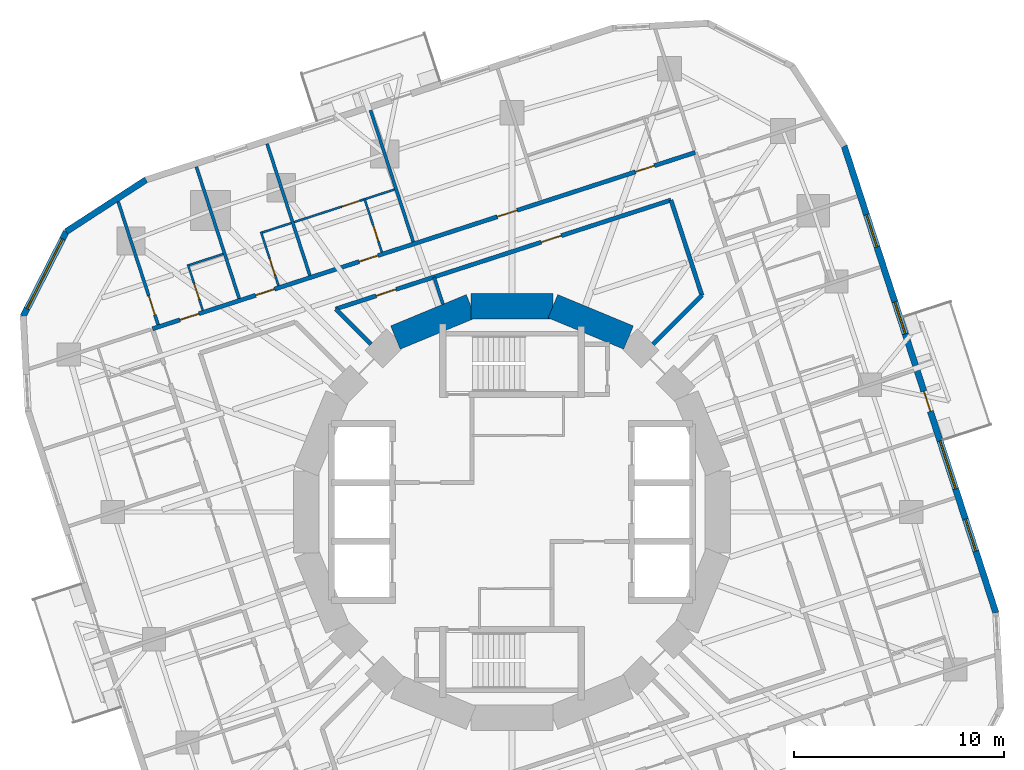
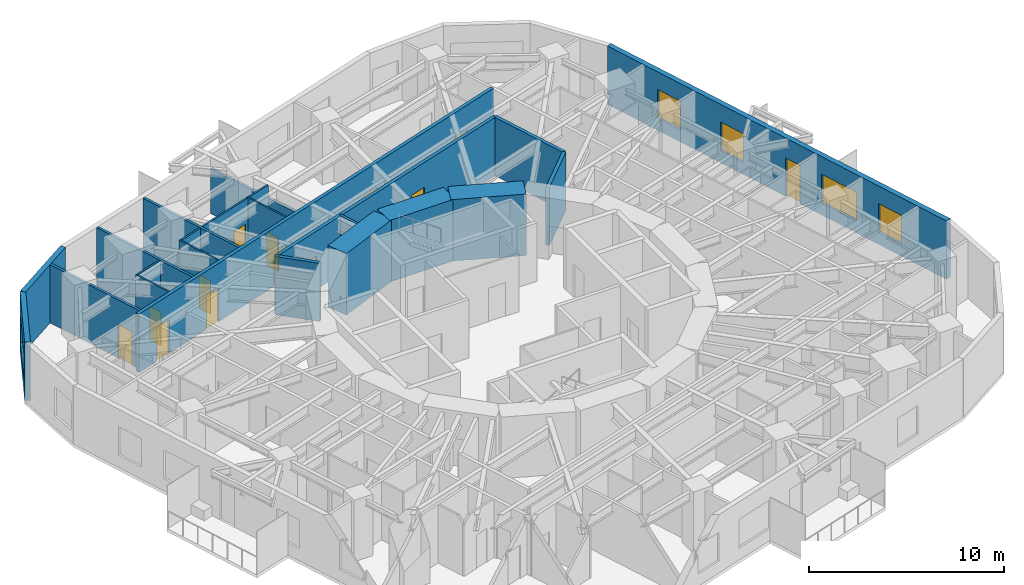
# One storey, part 9 of 12: 23 walls, 13 doors, 5 windows, 18 openings.
"""IFC4 building model written with IfcOpenShell, lengths in metres."""

from ifc_helpers import new_model, si_unit, direction, frame, frame_2d, origin, place, context, subcontext, project, spatial, rectangle, extrude, material, layer, layer_set, type_object, element, fill, save


model = new_model("IFC4")

# Units and contexts
model_context = context("Model", 3, precision=1e-05, world=origin(), true_north=direction((0.0, 1.0)))
body_context = subcontext(model_context, "Body", "Model", "MODEL_VIEW")
ifc_project = project(units=[si_unit("LENGTHUNIT", "METRE"), si_unit("AREAUNIT", "SQUARE_METRE"), si_unit("VOLUMEUNIT", "CUBIC_METRE"), si_unit("PLANEANGLEUNIT", "RADIAN"), si_unit("MASSUNIT", "GRAM", prefix="KILO")], contexts=[model_context])

# Site, building, storey
site_placement = place(None, origin())
site = spatial("IfcSite", under=ifc_project, at=site_placement, CompositionType="ELEMENT")
building_placement = place(site_placement, origin())
building = spatial("IfcBuilding", under=site, at=building_placement, Name="Nakasero Lantern House", CompositionType="ELEMENT")
storey_placement = place(building_placement, frame((0.0, 0.0, 145.64990234375)))
storey = spatial("IfcBuildingStorey", under=building, at=storey_placement, Name="L35", CompositionType="ELEMENT", Elevation=145.64990234375)

# Walls
ifc_material_1 = material(Name="Concrete C50/60", Category="concrete")
ifc_layer_1 = layer(ifc_material_1, 1.199951171875)
ifc_layer_set_1 = layer_set([ifc_layer_1], Name="Core wall 1200")
wall_type_1 = type_object("IfcWallType", Name="Core wall 1200", PredefinedType="SHEAR", material=ifc_layer_set_1)
for number, where, z_axis, x_axis, name in (
    (1, (5.5556640625, 8.314697265625, 0.0), (0.0, 0.0, 1.0), (-0.923876507187, 0.382690736062, 0.0), "Core wall L35 facet 3"),
    (2, (1.950927734375, 9.807861328125, 0.0), (0.0, 0.0, 1.0), (-1.0, 0.0, 0.0), "Core wall L35 facet 4"),
    (3, (-1.950927734375, 9.807861328125, 0.0), (0.0, 0.0, 1.0), (-0.923876507187, -0.382690736062, 0.0), "Core wall L35 facet 5"),
):
    element("IfcWall", number, at=place(storey_placement, frame(where, z_axis=z_axis, x_axis=x_axis)), inside=storey, type_object=wall_type_1, Name=name, PredefinedType="SHEAR", context=body_context, shape_type="SweptSolid", body=[
        extrude(rectangle(XDim=3.90185546875, YDim=1.199951171875, at=frame_2d((1.950927734375, 0.0))), origin(), (0.0, 0.0, 1.0), 3.85009765625),
    ])

# Wall, openings, doors
ifc_material_2 = material(Name="Blockwork", Category="masonry")
ifc_layer_2 = layer(ifc_material_2, 0.199951171875)
ifc_layer_set_2 = layer_set([ifc_layer_2], Name="Corridor wall 200")
wall_type_2 = type_object("IfcWallType", Name="Corridor wall 200", PredefinedType="PARTITIONING", material=ifc_layer_set_2)
wall_1_placement = place(storey_placement, frame((8.731689453125, 17.136962890625, 0.0), z_axis=(0.0, 0.0, 1.0), x_axis=(-0.951056097323, -0.309018283835, 0.0)))
wall_1 = element("IfcWall", 4, at=wall_1_placement, inside=storey, type_object=wall_type_2, Name="Corridor wall L35 CW1", PredefinedType="PARTITIONING", context=body_context, shape_type="SweptSolid", body=[
    extrude(rectangle(XDim=27.199951171875, YDim=0.199951171875, at=frame_2d((13.60009765625, 0.0))), origin(), (0.0, 0.0, 1.0), 3.650146484375),
])
opening_1_placement = place(wall_1_placement, frame((2.050048828125, 0.0, 0.0)))
opening_1 = element("IfcOpeningElement", 5, at=opening_1_placement, cuts=wall_1, Name="Opening D01", PredefinedType="OPENING", context=body_context, shape_type="SweptSolid", body=[
    extrude(rectangle(XDim=0.949951171875, YDim=2.10009765625, at=frame_2d((0.47509765625, 1.050048828125))), frame((0.0, 0.119873046875, 0.0), z_axis=(0.0, -1.0, 0.0), x_axis=(1.0, 0.0, 0.0)), (0.0, 0.0, 1.0), 0.239990234375),
])
opening_2_placement = place(wall_1_placement, frame((15.89697265625, 0.0, 0.0)))
opening_2 = element("IfcOpeningElement", 6, at=opening_2_placement, cuts=wall_1, Name="Opening D01", PredefinedType="OPENING", context=body_context, shape_type="SweptSolid", body=[
    extrude(rectangle(XDim=0.949951171875, YDim=2.10009765625, at=frame_2d((0.47509765625, 1.050048828125))), frame((0.0, 0.119873046875, 0.0), z_axis=(0.0, -1.0, 0.0), x_axis=(1.0, 0.0, 0.0)), (0.0, 0.0, 1.0), 0.239990234375),
])
opening_3_placement = place(wall_1_placement, frame((21.078125, 0.0, 0.0)))
opening_3 = element("IfcOpeningElement", 7, at=opening_3_placement, cuts=wall_1, Name="Opening D01", PredefinedType="OPENING", context=body_context, shape_type="SweptSolid", body=[
    extrude(rectangle(XDim=0.949951171875, YDim=2.10009765625, at=frame_2d((0.47509765625, 1.050048828125))), frame((0.0, 0.119873046875, 0.0), z_axis=(0.0, -1.0, 0.0), x_axis=(1.0, 0.0, 0.0)), (0.0, 0.0, 1.0), 0.239990234375),
])
opening_4_placement = place(wall_1_placement, frame((24.872314453125, 0.0, 0.0)))
opening_4 = element("IfcOpeningElement", 8, at=opening_4_placement, cuts=wall_1, Name="Opening D01", PredefinedType="OPENING", context=body_context, shape_type="SweptSolid", body=[
    extrude(rectangle(XDim=0.949951171875, YDim=2.10009765625, at=frame_2d((0.47509765625, 1.050048828125))), frame((0.0, 0.119873046875, 0.0), z_axis=(0.0, -1.0, 0.0), x_axis=(1.0, 0.0, 0.0)), (0.0, 0.0, 1.0), 0.239990234375),
])
opening_5_placement = place(wall_1_placement, frame((8.9189453125, 0.0, 0.0)))
opening_5 = element("IfcOpeningElement", 9, at=opening_5_placement, cuts=wall_1, Name="Opening D03", PredefinedType="OPENING", context=body_context, shape_type="SweptSolid", body=[
    extrude(rectangle(XDim=1.0, YDim=2.10009765625, at=frame_2d((0.5, 1.050048828125))), frame((0.0, 0.119873046875, 0.0), z_axis=(0.0, -1.0, 0.0), x_axis=(1.0, 0.0, 0.0)), (0.0, 0.0, 1.0), 0.239990234375),
])
ifc_material_3 = material(Name="Timber C24", Category="wood")
door_type_1 = type_object("IfcDoorType", Name="Bedroom door FD30S 950", OperationType="SINGLE_SWING_LEFT", PredefinedType="DOOR", material=ifc_material_3)
door_1_placement = place(opening_1_placement, origin())
door_1 = element("IfcDoor", 10, at=door_1_placement, inside=storey, type_object=door_type_1, Name="Door L35 D1-00", OperationType="SINGLE_SWING_LEFT", OverallHeight=2.10009765625, OverallWidth=0.949951171875, PredefinedType="DOOR", context=body_context, shape_type="SweptSolid", body=[
    extrude(rectangle(XDim=0.949951171875, YDim=2.10009765625, at=frame_2d((0.47509765625, 1.050048828125))), frame((0.0, 0.02490234375, 0.0), z_axis=(0.0, -1.0, 0.0), x_axis=(1.0, 0.0, 0.0)), (0.0, 0.0, 1.0), 0.050048828125),
])
fill(opening_1, door_1)
door_2_placement = place(opening_2_placement, origin())
door_2 = element("IfcDoor", 11, at=door_2_placement, inside=storey, type_object=door_type_1, Name="Door L35 D1-04", OperationType="SINGLE_SWING_RIGHT", OverallHeight=2.10009765625, OverallWidth=0.949951171875, PredefinedType="DOOR", context=body_context, shape_type="SweptSolid", body=[
    extrude(rectangle(XDim=0.949951171875, YDim=2.10009765625, at=frame_2d((0.47509765625, 1.050048828125))), frame((0.0, 0.02490234375, 0.0), z_axis=(0.0, -1.0, 0.0), x_axis=(1.0, 0.0, 0.0)), (0.0, 0.0, 1.0), 0.050048828125),
])
fill(opening_2, door_2)
door_3_placement = place(opening_3_placement, origin())
door_3 = element("IfcDoor", 12, at=door_3_placement, inside=storey, type_object=door_type_1, Name="Door L35 D1-05", OperationType="SINGLE_SWING_RIGHT", OverallHeight=2.10009765625, OverallWidth=0.949951171875, PredefinedType="DOOR", context=body_context, shape_type="SweptSolid", body=[
    extrude(rectangle(XDim=0.949951171875, YDim=2.10009765625, at=frame_2d((0.47509765625, 1.050048828125))), frame((0.0, 0.02490234375, 0.0), z_axis=(0.0, -1.0, 0.0), x_axis=(1.0, 0.0, 0.0)), (0.0, 0.0, 1.0), 0.050048828125),
])
fill(opening_3, door_3)
door_4_placement = place(opening_4_placement, origin())
door_4 = element("IfcDoor", 13, at=door_4_placement, inside=storey, type_object=door_type_1, Name="Door L35 D1-06", OperationType="SINGLE_SWING_RIGHT", OverallHeight=2.10009765625, OverallWidth=0.949951171875, PredefinedType="DOOR", context=body_context, shape_type="SweptSolid", body=[
    extrude(rectangle(XDim=0.949951171875, YDim=2.10009765625, at=frame_2d((0.47509765625, 1.050048828125))), frame((0.0, 0.02490234375, 0.0), z_axis=(0.0, -1.0, 0.0), x_axis=(1.0, 0.0, 0.0)), (0.0, 0.0, 1.0), 0.050048828125),
])
fill(opening_4, door_4)
ifc_material_4 = material(Name="Timber C24", Category="wood")
door_type_2 = type_object("IfcDoorType", Name="Lounge door FD30S 1000", OperationType="SINGLE_SWING_LEFT", PredefinedType="DOOR", material=ifc_material_4)
door_5_placement = place(opening_5_placement, origin())
door_5 = element("IfcDoor", 14, at=door_5_placement, inside=storey, type_object=door_type_2, Name="Door L35 DK1", OperationType="SINGLE_SWING_LEFT", OverallHeight=2.10009765625, OverallWidth=1.0, PredefinedType="DOOR", context=body_context, shape_type="SweptSolid", body=[
    extrude(rectangle(XDim=1.0, YDim=2.10009765625, at=frame_2d((0.5, 1.050048828125))), frame((0.0, 0.02490234375, 0.0), z_axis=(0.0, -1.0, 0.0), x_axis=(1.0, 0.0, 0.0)), (0.0, 0.0, 1.0), 0.050048828125),
])
fill(opening_5, door_5)

# Wall
wall_2_placement = place(storey_placement, frame((9.052490234375, 10.3251953125, 0.0), z_axis=(0.0, 0.0, 1.0), x_axis=(-0.309013275037, 0.951057724773, 0.0)))
element("IfcWall", 15, at=wall_2_placement, inside=storey, type_object=wall_type_2, Name="Corridor wall L35 IW0-1", PredefinedType="PARTITIONING", context=body_context, shape_type="SweptSolid", body=[
    extrude(rectangle(XDim=4.777587890625, YDim=0.199951171875, at=frame_2d((2.388671875, 0.0))), origin(), (0.0, 0.0, 1.0), 3.650146484375),
])

# Wall, openings, doors
wall_3_placement = place(storey_placement, frame((7.576171875, 14.868896484375, 0.0), z_axis=(0.0, 0.0, 1.0), x_axis=(-0.951057770893, -0.309013133095, 0.0)))
wall_3 = element("IfcWall", 16, at=wall_3_placement, inside=storey, type_object=wall_type_2, Name="Corridor wall L35 IW1-0", PredefinedType="PARTITIONING", context=body_context, shape_type="SweptSolid", body=[
    extrude(rectangle(XDim=16.80224609375, YDim=0.199951171875, at=frame_2d((8.401123046875, 0.0))), origin(), (0.0, 0.0, 1.0), 3.650146484375),
])
opening_6_placement = place(wall_3_placement, frame((5.49755859375, 0.0, 0.0)))
opening_6 = element("IfcOpeningElement", 17, at=opening_6_placement, cuts=wall_3, Name="Opening D07", PredefinedType="OPENING", context=body_context, shape_type="SweptSolid", body=[
    extrude(rectangle(XDim=1.0, YDim=2.10009765625, at=frame_2d((0.5, 1.050048828125))), frame((0.0, 0.119873046875, 0.0), z_axis=(0.0, -1.0, 0.0), x_axis=(1.0, 0.0, 0.0)), (0.0, 0.0, 1.0), 0.239990234375),
])
opening_7_placement = place(wall_3_placement, frame((13.773681640625, 0.0, 0.0)))
opening_7 = element("IfcOpeningElement", 18, at=opening_7_placement, cuts=wall_3, Name="Opening D07", PredefinedType="OPENING", context=body_context, shape_type="SweptSolid", body=[
    extrude(rectangle(XDim=1.0, YDim=2.10009765625, at=frame_2d((0.5, 1.050048828125))), frame((0.0, 0.119873046875, 0.0), z_axis=(0.0, -1.0, 0.0), x_axis=(1.0, 0.0, 0.0)), (0.0, 0.0, 1.0), 0.239990234375),
])
ifc_material_5 = material(Name="Timber C24", Category="wood")
door_type_3 = type_object("IfcDoorType", Name="Room door FD30S 1000", OperationType="SINGLE_SWING_LEFT", PredefinedType="DOOR", material=ifc_material_5)
door_6_placement = place(opening_6_placement, origin())
door_6 = element("IfcDoor", 19, at=door_6_placement, inside=storey, type_object=door_type_3, Name="Door L35 DI6", OperationType="SINGLE_SWING_LEFT", OverallHeight=2.10009765625, OverallWidth=1.0, PredefinedType="DOOR", context=body_context, shape_type="SweptSolid", body=[
    extrude(rectangle(XDim=1.0, YDim=2.10009765625, at=frame_2d((0.5, 1.050048828125))), frame((0.0, 0.02490234375, 0.0), z_axis=(0.0, -1.0, 0.0), x_axis=(1.0, 0.0, 0.0)), (0.0, 0.0, 1.0), 0.050048828125),
])
fill(opening_6, door_6)
door_7_placement = place(opening_7_placement, origin())
door_7 = element("IfcDoor", 20, at=door_7_placement, inside=storey, type_object=door_type_3, Name="Door L35 DI7", OperationType="SINGLE_SWING_RIGHT", OverallHeight=2.10009765625, OverallWidth=1.0, PredefinedType="DOOR", context=body_context, shape_type="SweptSolid", body=[
    extrude(rectangle(XDim=1.0, YDim=2.10009765625, at=frame_2d((0.5, 1.050048828125))), frame((0.0, 0.02490234375, 0.0), z_axis=(0.0, -1.0, 0.0), x_axis=(1.0, 0.0, 0.0)), (0.0, 0.0, 1.0), 0.050048828125),
])
fill(opening_7, door_7)

# Walls
wall_4_placement = place(storey_placement, frame((6.72314453125, 7.995849609375, 0.0), z_axis=(0.0, 0.0, 1.0), x_axis=(0.707106781187, 0.707106781187, 0.0)))
element("IfcWall", 21, at=wall_4_placement, inside=storey, type_object=wall_type_2, Name="Corridor wall L35 PS02a", PredefinedType="PARTITIONING", context=body_context, shape_type="SweptSolid", body=[
    extrude(rectangle(XDim=3.294189453125, YDim=0.199951171875, at=frame_2d((1.64697265625, 0.0))), origin(), (0.0, 0.0, 1.0), 3.650146484375),
])
wall_5_placement = place(storey_placement, frame((-6.72314453125, 7.995849609375, 0.0), z_axis=(0.0, 0.0, 1.0), x_axis=(-0.707055424337, 0.707158134306, 0.0)))
element("IfcWall", 22, at=wall_5_placement, inside=storey, type_object=wall_type_2, Name="Corridor wall L35 PS06b", PredefinedType="PARTITIONING", context=body_context, shape_type="SweptSolid", body=[
    extrude(rectangle(XDim=2.376953125, YDim=0.199951171875, at=frame_2d((1.1884765625, 0.0))), origin(), (0.0, 0.0, 1.0), 3.650146484375),
])

# Wall, opening, door
ifc_material_6 = material(Name="Blockwork", Category="masonry")
ifc_layer_3 = layer(ifc_material_6, 0.10009765625)
ifc_layer_set_3 = layer_set([ifc_layer_3], Name="En-suite wall 100")
wall_type_3 = type_object("IfcWallType", Name="En-suite wall 100", PredefinedType="PARTITIONING", material=ifc_layer_set_3)
wall_6_placement = place(storey_placement, frame((-6.2041015625, 12.38916015625, 0.0), z_axis=(0.0, 0.0, 1.0), x_axis=(-0.309057448393, 0.951043371037, 0.0)))
wall_6 = element("IfcWall", 23, at=wall_6_placement, inside=storey, type_object=wall_type_3, Name="En-suite wall L35 ES1-04", PredefinedType="PARTITIONING", context=body_context, shape_type="SweptSolid", body=[
    extrude(rectangle(XDim=2.699951171875, YDim=0.10009765625, at=frame_2d((1.35009765625, 0.0))), origin(), (0.0, 0.0, 1.0), 3.650146484375),
])
opening_8_placement = place(wall_6_placement, frame((0.550048828125, 0.0, 0.0)))
opening_8 = element("IfcOpeningElement", 24, at=opening_8_placement, cuts=wall_6, Name="Opening D02", PredefinedType="OPENING", context=body_context, shape_type="SweptSolid", body=[
    extrude(rectangle(XDim=0.800048828125, YDim=2.10009765625, at=frame_2d((0.39990234375, 1.050048828125))), frame((0.0, 0.070068359375, 0.0), z_axis=(0.0, -1.0, 0.0), x_axis=(1.0, 0.0, 0.0)), (0.0, 0.0, 1.0), 0.14013671875),
])
ifc_material_7 = material(Name="Timber C24", Category="wood")
door_type_4 = type_object("IfcDoorType", Name="En-suite door 800", OperationType="SINGLE_SWING_RIGHT", PredefinedType="DOOR", material=ifc_material_7)
door_8_placement = place(opening_8_placement, origin())
door_8 = element("IfcDoor", 25, at=door_8_placement, inside=storey, type_object=door_type_4, Name="Door L35 DE1-04", OperationType="SINGLE_SWING_LEFT", OverallHeight=2.10009765625, OverallWidth=0.800048828125, PredefinedType="DOOR", context=body_context, shape_type="SweptSolid", body=[
    extrude(rectangle(XDim=0.800048828125, YDim=2.10009765625, at=frame_2d((0.39990234375, 1.050048828125))), frame((0.0, 0.02490234375, 0.0), z_axis=(0.0, -1.0, 0.0), x_axis=(1.0, 0.0, 0.0)), (0.0, 0.0, 1.0), 0.050048828125),
])
fill(opening_8, door_8)

# Wall
wall_7_placement = place(storey_placement, frame((-5.596435546875, 15.373046875, 0.0), z_axis=(0.0, 0.0, 1.0), x_axis=(-0.951030357076, -0.309097492581, 0.0)))
element("IfcWall", 26, at=wall_7_placement, inside=storey, type_object=wall_type_3, Name="En-suite wall L35 EE1-04", PredefinedType="PARTITIONING", context=body_context, shape_type="SweptSolid", body=[
    extrude(rectangle(XDim=1.4501953125, YDim=0.10009765625, at=frame_2d((0.72509765625, 0.0))), origin(), (0.0, 0.0, 1.0), 3.650146484375),
])

# Wall, opening, door
wall_8_placement = place(storey_placement, frame((-11.131591796875, 10.7880859375, 0.0), z_axis=(0.0, 0.0, 1.0), x_axis=(-0.309057448393, 0.951043371037, 0.0)))
wall_8 = element("IfcWall", 27, at=wall_8_placement, inside=storey, type_object=wall_type_3, Name="En-suite wall L35 ES1-05", PredefinedType="PARTITIONING", context=body_context, shape_type="SweptSolid", body=[
    extrude(rectangle(XDim=2.699951171875, YDim=0.10009765625, at=frame_2d((1.35009765625, 0.0))), origin(), (0.0, 0.0, 1.0), 3.650146484375),
])
opening_9_placement = place(wall_8_placement, frame((0.550048828125, 0.0, 0.0)))
opening_9 = element("IfcOpeningElement", 28, at=opening_9_placement, cuts=wall_8, Name="Opening D02", PredefinedType="OPENING", context=body_context, shape_type="SweptSolid", body=[
    extrude(rectangle(XDim=0.800048828125, YDim=2.10009765625, at=frame_2d((0.39990234375, 1.050048828125))), frame((0.0, 0.070068359375, 0.0), z_axis=(0.0, -1.0, 0.0), x_axis=(1.0, 0.0, 0.0)), (0.0, 0.0, 1.0), 0.14013671875),
])
door_9_placement = place(opening_9_placement, origin())
door_9 = element("IfcDoor", 29, at=door_9_placement, inside=storey, type_object=door_type_4, Name="Door L35 DE1-05", OperationType="SINGLE_SWING_LEFT", OverallHeight=2.10009765625, OverallWidth=0.800048828125, PredefinedType="DOOR", context=body_context, shape_type="SweptSolid", body=[
    extrude(rectangle(XDim=0.800048828125, YDim=2.10009765625, at=frame_2d((0.39990234375, 1.050048828125))), frame((0.0, 0.02490234375, 0.0), z_axis=(0.0, -1.0, 0.0), x_axis=(1.0, 0.0, 0.0)), (0.0, 0.0, 1.0), 0.050048828125),
])
fill(opening_9, door_9)

# Wall
wall_9_placement = place(storey_placement, frame((-10.52392578125, 13.77197265625, 0.0), z_axis=(0.0, 0.0, 1.0), x_axis=(-0.951079836914, -0.308945211672, 0.0)))
element("IfcWall", 30, at=wall_9_placement, inside=storey, type_object=wall_type_3, Name="En-suite wall L35 EE1-05", PredefinedType="PARTITIONING", context=body_context, shape_type="SweptSolid", body=[
    extrude(rectangle(XDim=1.4501953125, YDim=0.10009765625, at=frame_2d((0.72509765625, 0.0))), origin(), (0.0, 0.0, 1.0), 3.650146484375),
])

# Wall, opening, door
wall_10_placement = place(storey_placement, frame((-14.740234375, 9.61572265625, 0.0), z_axis=(0.0, 0.0, 1.0), x_axis=(-0.309021261611, 0.951055129775, 0.0)))
wall_10 = element("IfcWall", 31, at=wall_10_placement, inside=storey, type_object=wall_type_3, Name="En-suite wall L35 ES1-06", PredefinedType="PARTITIONING", context=body_context, shape_type="SweptSolid", body=[
    extrude(rectangle(XDim=2.2998046875, YDim=0.10009765625, at=frame_2d((1.14990234375, 0.0))), origin(), (0.0, 0.0, 1.0), 3.650146484375),
])
opening_10_placement = place(wall_10_placement, frame((0.550048828125, 0.0, 0.0)))
opening_10 = element("IfcOpeningElement", 32, at=opening_10_placement, cuts=wall_10, Name="Opening D02", PredefinedType="OPENING", context=body_context, shape_type="SweptSolid", body=[
    extrude(rectangle(XDim=0.800048828125, YDim=2.10009765625, at=frame_2d((0.39990234375, 1.050048828125))), frame((0.0, 0.070068359375, 0.0), z_axis=(0.0, -1.0, 0.0), x_axis=(1.0, 0.0, 0.0)), (0.0, 0.0, 1.0), 0.14013671875),
])
door_10_placement = place(opening_10_placement, origin())
door_10 = element("IfcDoor", 33, at=door_10_placement, inside=storey, type_object=door_type_4, Name="Door L35 DE1-06", OperationType="SINGLE_SWING_LEFT", OverallHeight=2.10009765625, OverallWidth=0.800048828125, PredefinedType="DOOR", context=body_context, shape_type="SweptSolid", body=[
    extrude(rectangle(XDim=0.800048828125, YDim=2.10009765625, at=frame_2d((0.39990234375, 1.050048828125))), frame((0.0, 0.02490234375, 0.0), z_axis=(0.0, -1.0, 0.0), x_axis=(1.0, 0.0, 0.0)), (0.0, 0.0, 1.0), 0.050048828125),
])
fill(opening_10, door_10)

# Wall
wall_11_placement = place(storey_placement, frame((-13.771240234375, 12.29638671875, 0.0), z_axis=(0.0, 0.0, 1.0), x_axis=(-0.951040401051, -0.309066587596, 0.0)))
element("IfcWall", 34, at=wall_11_placement, inside=storey, type_object=wall_type_3, Name="En-suite wall L35 EE1-06", PredefinedType="PARTITIONING", context=body_context, shape_type="SweptSolid", body=[
    extrude(rectangle(XDim=1.699951171875, YDim=0.10009765625, at=frame_2d((0.85009765625, 0.0))), origin(), (0.0, 0.0, 1.0), 3.650146484375),
])

# Wall, opening, door
wall_12_placement = place(storey_placement, frame((-7.070556640625, 14.89404296875, 0.0), z_axis=(0.0, 0.0, 1.0), x_axis=(-0.951061380458, -0.309002023619, 0.0)))
wall_12 = element("IfcWall", 35, at=wall_12_placement, inside=storey, type_object=wall_type_3, Name="En-suite wall L35 EL1-04", PredefinedType="PARTITIONING", context=body_context, shape_type="SweptSolid", body=[
    extrude(rectangle(XDim=3.481201171875, YDim=0.10009765625, at=frame_2d((1.74072265625, 0.0))), origin(), (0.0, 0.0, 1.0), 3.650146484375),
])
opening_11_placement = place(wall_12_placement, frame((0.199951171875, 0.0, 0.0)))
opening_11 = element("IfcOpeningElement", 36, at=opening_11_placement, cuts=wall_12, Name="Opening D17", PredefinedType="OPENING", context=body_context, shape_type="SweptSolid", body=[
    extrude(rectangle(XDim=0.89990234375, YDim=2.10009765625, at=frame_2d((0.449951171875, 1.050048828125))), frame((0.0, 0.070068359375, 0.0), z_axis=(0.0, -1.0, 0.0), x_axis=(1.0, 0.0, 0.0)), (0.0, 0.0, 1.0), 0.14013671875),
])
ifc_material_8 = material(Name="Timber C24", Category="wood")
door_type_5 = type_object("IfcDoorType", Name="Bedroom door FD30S 900", OperationType="SINGLE_SWING_LEFT", PredefinedType="DOOR", material=ifc_material_8)
door_11_placement = place(opening_11_placement, origin())
door_11 = element("IfcDoor", 37, at=door_11_placement, inside=storey, type_object=door_type_5, Name="Door L35 DL1-04", OperationType="SINGLE_SWING_LEFT", OverallHeight=2.10009765625, OverallWidth=0.89990234375, PredefinedType="DOOR", context=body_context, shape_type="SweptSolid", body=[
    extrude(rectangle(XDim=0.89990234375, YDim=2.10009765625, at=frame_2d((0.449951171875, 1.050048828125))), frame((0.0, 0.02490234375, 0.0), z_axis=(0.0, -1.0, 0.0), x_axis=(1.0, 0.0, 0.0)), (0.0, 0.0, 1.0), 0.050048828125),
])
fill(opening_11, door_11)

# Wall, openings, door, windows
ifc_material_9 = material(Name="Aluminium rainscreen on blockwork", Category="masonry")
ifc_layer_4 = layer(ifc_material_9, 0.300048828125)
ifc_layer_set_4 = layer_set([ifc_layer_4], Name="Facade wall 300")
wall_type_4 = type_object("IfcWallType", Name="Facade wall 300", PredefinedType="SOLIDWALL", material=ifc_layer_set_4)
wall_13_placement = place(storey_placement, frame((23.064697265625, -4.807861328125, 0.0), z_axis=(0.0, 0.0, 1.0), x_axis=(-0.30902591324, 0.951053618334, 0.0)))
wall_13 = element("IfcWall", 38, at=wall_13_placement, inside=storey, type_object=wall_type_4, Name="Facade wall L35 FW0S", PredefinedType="SOLIDWALL", context=body_context, shape_type="SweptSolid", body=[
    extrude(rectangle(XDim=23.39990234375, YDim=0.300048828125, at=frame_2d((11.699951171875, 0.0))), origin(), (0.0, 0.0, 1.0), 3.650146484375),
])
opening_12_placement = place(wall_13_placement, frame((3.089111328125, 0.0, 0.75)))
opening_12 = element("IfcOpeningElement", 39, at=opening_12_placement, cuts=wall_13, Name="Opening W01", PredefinedType="OPENING", context=body_context, shape_type="SweptSolid", body=[
    extrude(rectangle(XDim=1.60009765625, YDim=1.800048828125, at=frame_2d((0.800048828125, 0.89990234375))), frame((0.0, 0.169921875, 0.0), z_axis=(0.0, -1.0, 0.0), x_axis=(1.0, 0.0, 0.0)), (0.0, 0.0, 1.0), 0.340087890625),
])
opening_13_placement = place(wall_13_placement, frame((13.987548828125, 0.0, 0.75)))
opening_13 = element("IfcOpeningElement", 40, at=opening_13_placement, cuts=wall_13, Name="Opening W01", PredefinedType="OPENING", context=body_context, shape_type="SweptSolid", body=[
    extrude(rectangle(XDim=1.60009765625, YDim=1.800048828125, at=frame_2d((0.800048828125, 0.89990234375))), frame((0.0, 0.169921875, 0.0), z_axis=(0.0, -1.0, 0.0), x_axis=(1.0, 0.0, 0.0)), (0.0, 0.0, 1.0), 0.340087890625),
])
opening_14_placement = place(wall_13_placement, frame((18.350341796875, 0.0, 0.75)))
opening_14 = element("IfcOpeningElement", 41, at=opening_14_placement, cuts=wall_13, Name="Opening W01", PredefinedType="OPENING", context=body_context, shape_type="SweptSolid", body=[
    extrude(rectangle(XDim=1.60009765625, YDim=1.800048828125, at=frame_2d((0.800048828125, 0.89990234375))), frame((0.0, 0.169921875, 0.0), z_axis=(0.0, -1.0, 0.0), x_axis=(1.0, 0.0, 0.0)), (0.0, 0.0, 1.0), 0.340087890625),
])
opening_15_placement = place(wall_13_placement, frame((6.21337890625, 0.0, 0.75)))
opening_15 = element("IfcOpeningElement", 42, at=opening_15_placement, cuts=wall_13, Name="Opening W03", PredefinedType="OPENING", context=body_context, shape_type="SweptSolid", body=[
    extrude(rectangle(XDim=2.39990234375, YDim=1.800048828125, at=frame_2d((1.199951171875, 0.89990234375))), frame((0.0, 0.169921875, 0.0), z_axis=(0.0, -1.0, 0.0), x_axis=(1.0, 0.0, 0.0)), (0.0, 0.0, 1.0), 0.340087890625),
])
opening_16_placement = place(wall_13_placement, frame((10.1025390625, 0.0, 0.0)))
opening_16 = element("IfcOpeningElement", 43, at=opening_16_placement, cuts=wall_13, Name="Opening D04", PredefinedType="OPENING", context=body_context, shape_type="SweptSolid", body=[
    extrude(rectangle(XDim=1.0, YDim=2.39990234375, at=frame_2d((0.5, 1.199951171875))), frame((0.0, 0.169921875, 0.0), z_axis=(0.0, -1.0, 0.0), x_axis=(1.0, 0.0, 0.0)), (0.0, 0.0, 1.0), 0.340087890625),
])
ifc_material_10 = material(Name="Aluminium 6063-T6 and glass", Category="aluminium")
door_type_6 = type_object("IfcDoorType", Name="Balcony door 1000x2400", OperationType="SINGLE_SWING_RIGHT", PredefinedType="DOOR", material=ifc_material_10)
door_12_placement = place(opening_16_placement, origin())
door_12 = element("IfcDoor", 44, at=door_12_placement, inside=storey, type_object=door_type_6, Name="Balcony door L35 DB0", OperationType="SINGLE_SWING_RIGHT", OverallHeight=2.39990234375, OverallWidth=1.0, PredefinedType="DOOR", context=body_context, shape_type="SweptSolid", body=[
    extrude(rectangle(XDim=1.0, YDim=2.39990234375, at=frame_2d((0.5, 1.199951171875))), frame((0.0, 0.02490234375, 0.0), z_axis=(0.0, -1.0, 0.0), x_axis=(1.0, 0.0, 0.0)), (0.0, 0.0, 1.0), 0.050048828125),
])
fill(opening_16, door_12)
ifc_material_11 = material(Name="Aluminium 6063-T6 and glass", Category="aluminium")
window_type_1 = type_object("IfcWindowType", Name="Bedroom window 1600x1800", PartitioningType="SINGLE_PANEL", PredefinedType="WINDOW", material=ifc_material_11)
window_1_placement = place(opening_12_placement, origin())
window_1 = element("IfcWindow", 45, at=window_1_placement, inside=storey, type_object=window_type_1, Name="Window L35 WN0-01", OverallHeight=1.800048828125, OverallWidth=1.60009765625, PartitioningType="SINGLE_PANEL", PredefinedType="WINDOW", context=body_context, shape_type="SweptSolid", body=[
    extrude(rectangle(XDim=1.60009765625, YDim=1.800048828125, at=frame_2d((0.800048828125, 0.89990234375))), frame((0.0, 0.030029296875, 0.0), z_axis=(0.0, -1.0, 0.0), x_axis=(1.0, 0.0, 0.0)), (0.0, 0.0, 1.0), 0.06005859375),
])
fill(opening_12, window_1)
window_2_placement = place(opening_13_placement, origin())
window_2 = element("IfcWindow", 46, at=window_2_placement, inside=storey, type_object=window_type_1, Name="Window L35 WN0-04", OverallHeight=1.800048828125, OverallWidth=1.60009765625, PartitioningType="SINGLE_PANEL", PredefinedType="WINDOW", context=body_context, shape_type="SweptSolid", body=[
    extrude(rectangle(XDim=1.60009765625, YDim=1.800048828125, at=frame_2d((0.800048828125, 0.89990234375))), frame((0.0, 0.030029296875, 0.0), z_axis=(0.0, -1.0, 0.0), x_axis=(1.0, 0.0, 0.0)), (0.0, 0.0, 1.0), 0.06005859375),
])
fill(opening_13, window_2)
window_3_placement = place(opening_14_placement, origin())
window_3 = element("IfcWindow", 47, at=window_3_placement, inside=storey, type_object=window_type_1, Name="Window L35 WN0-05", OverallHeight=1.800048828125, OverallWidth=1.60009765625, PartitioningType="SINGLE_PANEL", PredefinedType="WINDOW", context=body_context, shape_type="SweptSolid", body=[
    extrude(rectangle(XDim=1.60009765625, YDim=1.800048828125, at=frame_2d((0.800048828125, 0.89990234375))), frame((0.0, 0.030029296875, 0.0), z_axis=(0.0, -1.0, 0.0), x_axis=(1.0, 0.0, 0.0)), (0.0, 0.0, 1.0), 0.06005859375),
])
fill(opening_14, window_3)
ifc_material_12 = material(Name="Aluminium 6063-T6 and glass", Category="aluminium")
window_type_2 = type_object("IfcWindowType", Name="Lounge window 2400x1800", PartitioningType="SINGLE_PANEL", PredefinedType="WINDOW", material=ifc_material_12)
window_4_placement = place(opening_15_placement, origin())
window_4 = element("IfcWindow", 48, at=window_4_placement, inside=storey, type_object=window_type_2, Name="Window L35 WK0", OverallHeight=1.800048828125, OverallWidth=2.39990234375, PartitioningType="SINGLE_PANEL", PredefinedType="WINDOW", context=body_context, shape_type="SweptSolid", body=[
    extrude(rectangle(XDim=2.39990234375, YDim=1.800048828125, at=frame_2d((1.199951171875, 0.89990234375))), frame((0.0, 0.030029296875, 0.0), z_axis=(0.0, -1.0, 0.0), x_axis=(1.0, 0.0, 0.0)), (0.0, 0.0, 1.0), 0.06005859375),
])
fill(opening_15, window_4)

# Wall
wall_14_placement = place(storey_placement, frame((-17.44677734375, 15.83349609375, 0.0), z_axis=(0.0, 0.0, 1.0), x_axis=(-0.838673836229, -0.544634002266, 0.0)))
element("IfcWall", 49, at=wall_14_placement, inside=storey, type_object=wall_type_4, Name="Facade wall L35 FW1C1", PredefinedType="SOLIDWALL", context=body_context, shape_type="SweptSolid", body=[
    extrude(rectangle(XDim=4.529296875, YDim=0.300048828125, at=frame_2d((2.2646484375, 0.0))), origin(), (0.0, 0.0, 1.0), 3.650146484375),
])

# Wall, opening, window
wall_15_placement = place(storey_placement, frame((-21.245361328125, 13.36669921875, 0.0), z_axis=(0.0, 0.0, 1.0), x_axis=(-0.454013792196, -0.890994655705, 0.0)))
wall_15 = element("IfcWall", 50, at=wall_15_placement, inside=storey, type_object=wall_type_4, Name="Facade wall L35 FW1C2", PredefinedType="SOLIDWALL", context=body_context, shape_type="SweptSolid", body=[
    extrude(rectangle(XDim=4.529296875, YDim=0.300048828125, at=frame_2d((2.2646484375, 0.0))), origin(), (0.0, 0.0, 1.0), 3.650146484375),
])
opening_17_placement = place(wall_15_placement, frame((0.39990234375, 0.0, 0.75)))
opening_17 = element("IfcOpeningElement", 51, at=opening_17_placement, cuts=wall_15, Name="Opening W237A", PredefinedType="OPENING", context=body_context, shape_type="SweptSolid", body=[
    extrude(rectangle(XDim=3.72900390625, YDim=1.800048828125, at=frame_2d((1.864501953125, 0.89990234375))), frame((0.0, 0.169921875, 0.0), z_axis=(0.0, -1.0, 0.0), x_axis=(1.0, 0.0, 0.0)), (0.0, 0.0, 1.0), 0.340087890625),
])
ifc_material_13 = material(Name="Aluminium 6063-T6 and glass", Category="aluminium")
window_type_3 = type_object("IfcWindowType", Name="Corner window 3729x1800", PartitioningType="SINGLE_PANEL", PredefinedType="WINDOW", material=ifc_material_13)
window_5_placement = place(opening_17_placement, origin())
window_5 = element("IfcWindow", 52, at=window_5_placement, inside=storey, type_object=window_type_3, Name="Window L35 WC1", OverallHeight=1.800048828125, OverallWidth=3.72900390625, PartitioningType="SINGLE_PANEL", PredefinedType="WINDOW", context=body_context, shape_type="SweptSolid", body=[
    extrude(rectangle(XDim=3.72900390625, YDim=1.800048828125, at=frame_2d((1.864501953125, 0.89990234375))), frame((0.0, 0.030029296875, 0.0), z_axis=(0.0, -1.0, 0.0), x_axis=(1.0, 0.0, 0.0)), (0.0, 0.0, 1.0), 0.06005859375),
])
fill(opening_17, window_5)

# Walls
ifc_material_14 = material(Name="Blockwork", Category="masonry")
ifc_layer_5 = layer(ifc_material_14, 0.14990234375)
ifc_layer_set_5 = layer_set([ifc_layer_5], Name="Party wall 150")
wall_type_5 = type_object("IfcWallType", Name="Party wall 150", PredefinedType="PARTITIONING", material=ifc_layer_set_5)
wall_16_placement = place(storey_placement, frame((-4.706298828125, 12.8759765625, 0.0), z_axis=(0.0, 0.0, 1.0), x_axis=(-0.309027520945, 0.951053095941, 0.0)))
element("IfcWall", 53, at=wall_16_placement, inside=storey, type_object=wall_type_5, Name="Party wall L35 PW1-04", PredefinedType="PARTITIONING", context=body_context, shape_type="SweptSolid", body=[
    extrude(rectangle(XDim=6.599853515625, YDim=0.14990234375, at=frame_2d((3.2998046875, 0.0))), origin(), (0.0, 0.0, 1.0), 2.809326171875),
])
for number, where, z_axis, x_axis, name in (
    (54, (-9.6337890625, 11.27490234375, 0.0), (0.0, 0.0, 1.0), (-0.309027520945, 0.951053095941, 0.0), "Party wall L35 PW1-05"),
    (55, (-13.004638671875, 10.1796875, 0.0), (0.0, 0.0, 1.0), (-0.309027520945, 0.951053095941, 0.0), "Party wall L35 PW1-06"),
):
    element("IfcWall", number, at=place(storey_placement, frame(where, z_axis=z_axis, x_axis=x_axis)), inside=storey, type_object=wall_type_5, Name=name, PredefinedType="PARTITIONING", context=body_context, shape_type="SweptSolid", body=[
        extrude(rectangle(XDim=6.599853515625, YDim=0.14990234375, at=frame_2d((3.2998046875, 0.0))), origin(), (0.0, 0.0, 1.0), 3.650146484375),
    ])

# Wall, opening, door
wall_17_placement = place(storey_placement, frame((-16.8662109375, 8.9248046875, 0.0), z_axis=(0.0, 0.0, 1.0), x_axis=(-0.309031452366, 0.951051818488, 0.0)))
wall_17 = element("IfcWall", 56, at=wall_17_placement, inside=storey, type_object=wall_type_5, Name="Party wall L35 PC1", PredefinedType="PARTITIONING", context=body_context, shape_type="SweptSolid", body=[
    extrude(rectangle(XDim=6.165283203125, YDim=0.14990234375, at=frame_2d((3.08251953125, 0.0))), origin(), (0.0, 0.0, 1.0), 3.650146484375),
])
opening_18_placement = place(wall_17_placement, frame((0.5, 0.0, 0.0)))
opening_18 = element("IfcOpeningElement", 57, at=opening_18_placement, cuts=wall_17, Name="Opening D01", PredefinedType="OPENING", context=body_context, shape_type="SweptSolid", body=[
    extrude(rectangle(XDim=0.949951171875, YDim=2.10009765625, at=frame_2d((0.47509765625, 1.050048828125))), frame((0.0, 0.094970703125, 0.0), z_axis=(0.0, -1.0, 0.0), x_axis=(1.0, 0.0, 0.0)), (0.0, 0.0, 1.0), 0.18994140625),
])
door_13_placement = place(opening_18_placement, origin())
door_13 = element("IfcDoor", 58, at=door_13_placement, inside=storey, type_object=door_type_1, Name="Door L35 DC1", OperationType="SINGLE_SWING_LEFT", OverallHeight=2.10009765625, OverallWidth=0.949951171875, PredefinedType="DOOR", context=body_context, shape_type="SweptSolid", body=[
    extrude(rectangle(XDim=0.949951171875, YDim=2.10009765625, at=frame_2d((0.47509765625, 1.050048828125))), frame((0.0, 0.02490234375, 0.0), z_axis=(0.0, -1.0, 0.0), x_axis=(1.0, 0.0, 0.0)), (0.0, 0.0, 1.0), 0.050048828125),
])
fill(opening_18, door_13)

# Wall
wall_18_placement = place(storey_placement, frame((-3.712890625, 11.200927734375, 0.0), z_axis=(0.0, 0.0, 1.0), x_axis=(0.308924371384, -0.951086606343, 0.0)))
element("IfcWall", 59, at=wall_18_placement, inside=storey, type_object=wall_type_5, Name="Party wall L35 IM1", PredefinedType="PARTITIONING", context=body_context, shape_type="SweptSolid", body=[
    extrude(rectangle(XDim=1.36572265625, YDim=0.14990234375, at=frame_2d((0.682861328125, 0.0))), origin(), (0.0, 0.0, 1.0), 3.650146484375),
])

save(model, "model.ifc")
